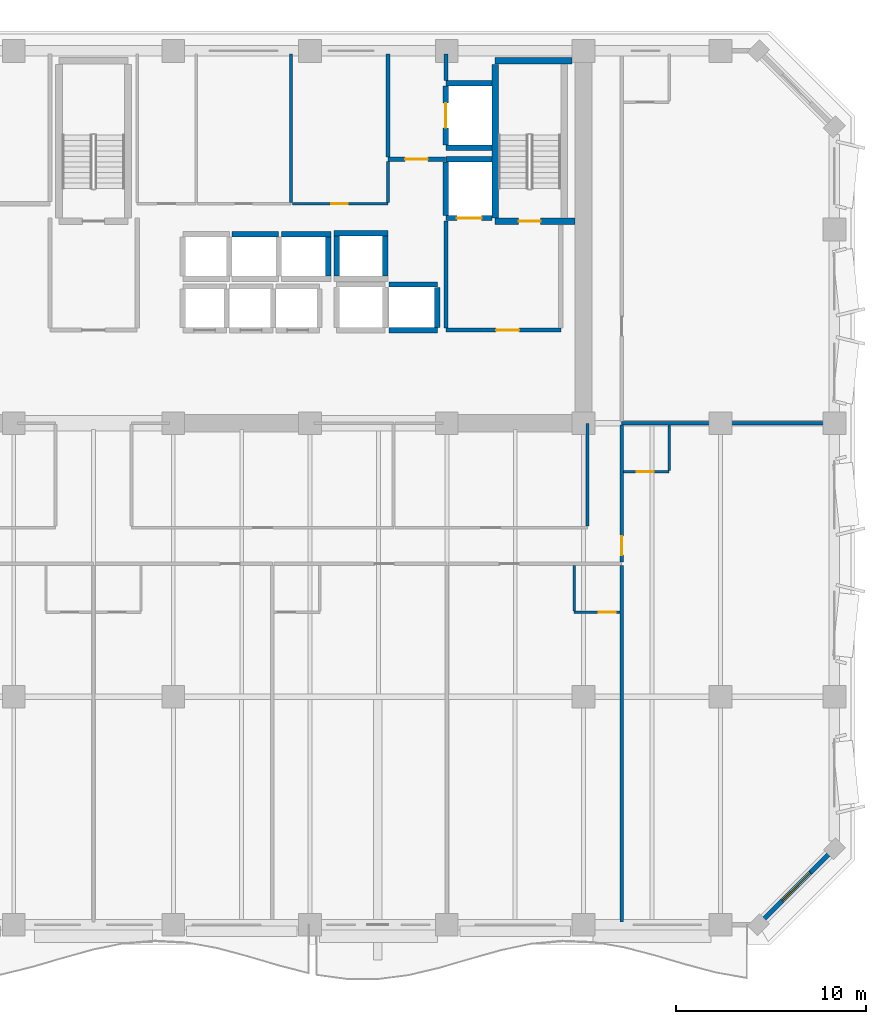
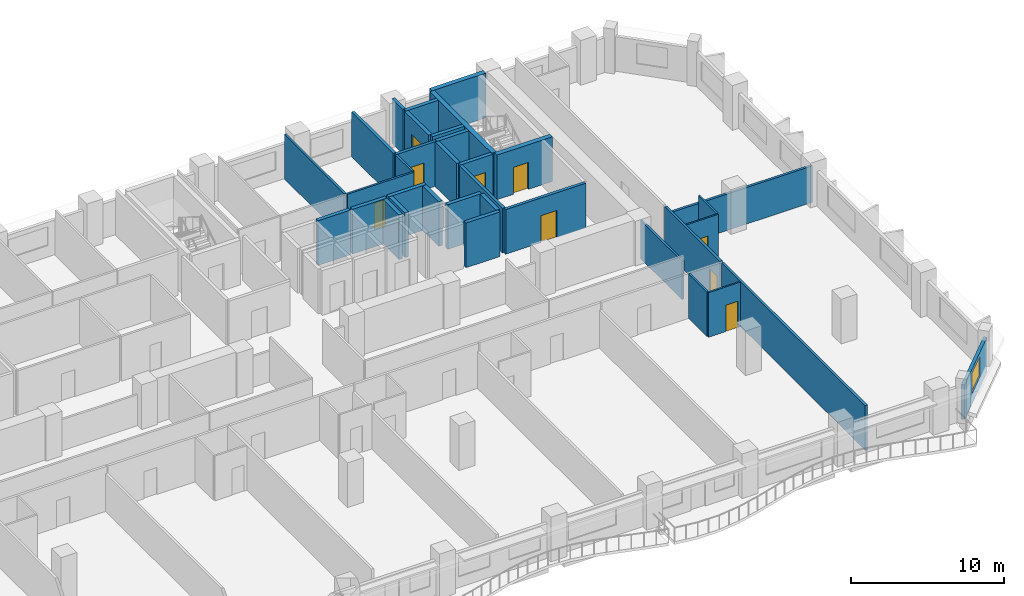
# One storey, part 8 of 14: 35 walls, 9 doors, 1 window, 10 openings.
"""IFC4 building model written with IfcOpenShell, lengths in metres."""

from ifc_helpers import new_model, si_unit, direction, frame, frame_2d, origin, place, context, subcontext, project, spatial, rectangle, extrude, material, layer, layer_set, type_object, element, fill, save


model = new_model("IFC4")

# Units and contexts
model_context = context("Model", 3, precision=1e-05, world=origin(), true_north=direction((0.0, 1.0)))
body_context = subcontext(model_context, "Body", "Model", "MODEL_VIEW")
ifc_project = project(units=[si_unit("LENGTHUNIT", "METRE"), si_unit("AREAUNIT", "SQUARE_METRE"), si_unit("VOLUMEUNIT", "CUBIC_METRE"), si_unit("PLANEANGLEUNIT", "RADIAN"), si_unit("MASSUNIT", "GRAM", prefix="KILO")], contexts=[model_context])

# Site, building, storey
site_placement = place(None, origin())
site = spatial("IfcSite", under=ifc_project, at=site_placement, CompositionType="ELEMENT")
building_placement = place(site_placement, origin())
building = spatial("IfcBuilding", under=site, at=building_placement, Name="Kaelvorn Grand Hotel", CompositionType="ELEMENT")
storey_placement = place(building_placement, frame((0.0, 0.0, 197.75)))
storey = spatial("IfcBuildingStorey", under=building, at=storey_placement, Name="L48", CompositionType="ELEMENT", Elevation=197.75)

# Wall, opening, window
ifc_material_1 = material(Name="Concrete C40/50", Category="concrete")
ifc_layer_1 = layer(ifc_material_1, 0.239990234375)
ifc_layer_set_1 = layer_set([ifc_layer_1], Name="Concrete C40/50")
wall_type_1 = type_object("IfcWallType", Name="WL-EXT-240-C40", PredefinedType="SOLIDWALL", material=ifc_layer_set_1)
wall_1_placement = place(storey_placement, frame((77.0, 3.0, 0.0), z_axis=(0.0, 0.0, 1.0), x_axis=(0.707106781187, 0.707106781187, 0.0)))
wall_1 = element("IfcWall", 1, at=wall_1_placement, inside=storey, type_object=wall_type_1, Name="L48 Exterior Architectural Concrete Wall 02", PredefinedType="SOLIDWALL", context=body_context, shape_type="SweptSolid", body=[
    extrude(rectangle(XDim=5.65673828125, YDim=0.239990234375, at=frame_2d((2.828369140625, 0.0))), origin(), (0.0, 0.0, 1.0), 2.760009765625),
])
opening_1_placement = place(wall_1_placement, frame((1.7783203125, 0.0, 0.85009765625)))
opening_1 = element("IfcOpeningElement", 2, at=opening_1_placement, cuts=wall_1, Name="Opening W7", PredefinedType="OPENING", context=body_context, shape_type="SweptSolid", body=[
    extrude(rectangle(XDim=2.10009765625, YDim=1.60009765625, at=frame_2d((1.050048828125, 0.800048828125))), frame((0.0, 0.1298828125, 0.0), z_axis=(0.0, -1.0, 0.0), x_axis=(1.0, 0.0, 0.0)), (0.0, 0.0, 1.0), 0.260009765625),
])
ifc_material_2 = material(Name="Laminated Low-E Glass", Category="glass")
window_type = type_object("IfcWindowType", Name="WIN-CHM-2100x1600", PartitioningType="SINGLE_PANEL", PredefinedType="WINDOW", material=ifc_material_2)
window_placement = place(opening_1_placement, origin())
window = element("IfcWindow", 3, at=window_placement, inside=storey, type_object=window_type, Name="L48 Chamfered 45-Degree Corner Window SE", OverallHeight=1.60009765625, OverallWidth=2.10009765625, PartitioningType="SINGLE_PANEL", PredefinedType="WINDOW", context=body_context, shape_type="SweptSolid", body=[
    extrude(rectangle(XDim=2.10009765625, YDim=1.60009765625, at=frame_2d((1.050048828125, 0.800048828125))), frame((0.0, 0.030029296875, 0.0), z_axis=(0.0, -1.0, 0.0), x_axis=(1.0, 0.0, 0.0)), (0.0, 0.0, 1.0), 0.06005859375),
])
fill(opening_1, window)

# Wall, opening, door
ifc_material_3 = material(Name="Moisture-Resistant Tile & Stud Board")
ifc_layer_2 = layer(ifc_material_3, 0.125)
ifc_layer_set_2 = layer_set([ifc_layer_2], Name="Moisture-Resistant Tile & Stud Board")
wall_type_2 = type_object("IfcWallType", Name="WL-PART-125-WET", PredefinedType="PARTITIONING", material=ifc_layer_set_2)
wall_2_placement = place(storey_placement, frame((67.300048828125, 19.449951171875, 0.0), z_axis=(0.0, 0.0, 1.0), x_axis=(1.0, 0.0, 0.0)))
wall_2 = element("IfcWall", 4, at=wall_2_placement, inside=storey, type_object=wall_type_2, Name="L48 En-suite Bathroom L48-06 S Partition", PredefinedType="PARTITIONING", context=body_context, shape_type="SweptSolid", body=[
    extrude(rectangle(XDim=2.405029296875, YDim=0.125, at=frame_2d((1.20263671875, 0.0))), origin(), (0.0, 0.0, 1.0), 3.56005859375),
])
opening_2_placement = place(wall_2_placement, frame((1.300048828125, 0.0, 0.0)))
opening_2 = element("IfcOpeningElement", 5, at=opening_2_placement, cuts=wall_2, Name="Opening DI4", PredefinedType="OPENING", context=body_context, shape_type="SweptSolid", body=[
    extrude(rectangle(XDim=0.89990234375, YDim=2.10009765625, at=frame_2d((0.449951171875, 1.050048828125))), frame((0.0, 0.072509765625, 0.0), z_axis=(0.0, -1.0, 0.0), x_axis=(1.0, 0.0, 0.0)), (0.0, 0.0, 1.0), 0.14501953125),
])
ifc_material_4 = material(Name="Timber Veneer Leaf", Category="wood")
door_type_1 = type_object("IfcDoorType", Name="DR-INT-BATH-900x2100", OperationType="NOTDEFINED", PredefinedType="DOOR", material=ifc_material_4)
door_1_placement = place(opening_2_placement, origin())
door_1 = element("IfcDoor", 6, at=door_1_placement, inside=storey, type_object=door_type_1, Name="L48 En-suite Bathroom L48-06 Door", OperationType="SINGLE_SWING_RIGHT", OverallHeight=2.10009765625, OverallWidth=0.89990234375, PredefinedType="DOOR", context=body_context, shape_type="SweptSolid", body=[
    extrude(rectangle(XDim=0.89990234375, YDim=2.10009765625, at=frame_2d((0.449951171875, 1.050048828125))), frame((0.0, 0.02490234375, 0.0), z_axis=(0.0, -1.0, 0.0), x_axis=(1.0, 0.0, 0.0)), (0.0, 0.0, 1.0), 0.050048828125),
])
fill(opening_2, door_1)

# Wall
wall_3_placement = place(storey_placement, frame((67.300048828125, 19.517578125, 0.0), z_axis=(0.0, 0.0, 1.0), x_axis=(0.0, 1.0, 0.0)))
element("IfcWall", 7, at=wall_3_placement, inside=storey, type_object=wall_type_2, Name="L48 En-suite Bathroom L48-06 W Partition", PredefinedType="PARTITIONING", context=body_context, shape_type="SweptSolid", body=[
    extrude(rectangle(XDim=2.387451171875, YDim=0.125, at=frame_2d((1.19384765625, 0.0))), origin(), (0.0, 0.0, 1.0), 3.56005859375),
])

# Wall, opening, door
wall_4_placement = place(storey_placement, frame((69.89501953125, 26.85009765625, 0.0), z_axis=(0.0, 0.0, 1.0), x_axis=(1.0, 0.0, 0.0)))
wall_4 = element("IfcWall", 8, at=wall_4_placement, inside=storey, type_object=wall_type_2, Name="L48 En-suite Bathroom L48-08 S Partition", PredefinedType="PARTITIONING", context=body_context, shape_type="SweptSolid", body=[
    extrude(rectangle(XDim=2.405029296875, YDim=0.125, at=frame_2d((1.20263671875, 0.0))), origin(), (0.0, 0.0, 1.0), 3.56005859375),
])
opening_3_placement = place(wall_4_placement, frame((0.705078125, 0.0, 0.0)))
opening_3 = element("IfcOpeningElement", 9, at=opening_3_placement, cuts=wall_4, Name="Opening DI4", PredefinedType="OPENING", context=body_context, shape_type="SweptSolid", body=[
    extrude(rectangle(XDim=0.89990234375, YDim=2.10009765625, at=frame_2d((0.449951171875, 1.050048828125))), frame((0.0, 0.072509765625, 0.0), z_axis=(0.0, -1.0, 0.0), x_axis=(1.0, 0.0, 0.0)), (0.0, 0.0, 1.0), 0.14501953125),
])
door_2_placement = place(opening_3_placement, origin())
door_2 = element("IfcDoor", 10, at=door_2_placement, inside=storey, type_object=door_type_1, Name="L48 En-suite Bathroom L48-08 Door", OperationType="SINGLE_SWING_RIGHT", OverallHeight=2.10009765625, OverallWidth=0.89990234375, PredefinedType="DOOR", context=body_context, shape_type="SweptSolid", body=[
    extrude(rectangle(XDim=0.89990234375, YDim=2.10009765625, at=frame_2d((0.449951171875, 1.050048828125))), frame((0.0, 0.02490234375, 0.0), z_axis=(0.0, -1.0, 0.0), x_axis=(1.0, 0.0, 0.0)), (0.0, 0.0, 1.0), 0.050048828125),
])
fill(opening_3, door_2)

# Walls
wall_5_placement = place(storey_placement, frame((72.300048828125, 26.91748046875, 0.0), z_axis=(0.0, 0.0, 1.0), x_axis=(0.0, 1.0, 0.0)))
element("IfcWall", 11, at=wall_5_placement, inside=storey, type_object=wall_type_2, Name="L48 En-suite Bathroom L48-08 E Partition", PredefinedType="PARTITIONING", context=body_context, shape_type="SweptSolid", body=[
    extrude(rectangle(XDim=2.387451171875, YDim=0.125, at=frame_2d((1.19384765625, 0.0))), origin(), (0.0, 0.0, 1.0), 3.56005859375),
])
ifc_material_5 = material(Name="Acoustic Gypsum & Stud Partition")
ifc_layer_3 = layer(ifc_material_5, 0.14990234375)
ifc_layer_set_3 = layer_set([ifc_layer_3], Name="Acoustic Gypsum & Stud Partition")
wall_type_3 = type_object("IfcWallType", Name="WL-PART-150-EI60", PredefinedType="PARTITIONING", material=ifc_layer_set_3)
wall_6_placement = place(storey_placement, frame((52.39990234375, 41.030029296875, 0.0), z_axis=(0.0, 0.0, 1.0), x_axis=(0.0, 1.0, 0.0)))
element("IfcWall", 12, at=wall_6_placement, inside=storey, type_object=wall_type_3, Name="L48 Valet & Luggage Store E Partition", PredefinedType="PARTITIONING", context=body_context, shape_type="SweptSolid", body=[
    extrude(rectangle(XDim=7.820068359375, YDim=0.14990234375, at=frame_2d((3.91015625, 0.0))), origin(), (0.0, 0.0, 1.0), 3.56005859375),
])

# Wall, opening, door
wall_7_placement = place(storey_placement, frame((52.47998046875, 40.949951171875, 0.0), z_axis=(0.0, 0.0, 1.0), x_axis=(1.0, 0.0, 0.0)))
wall_7 = element("IfcWall", 13, at=wall_7_placement, inside=storey, type_object=wall_type_3, Name="L48 Clean Utility & Amenity Store S Partition", PredefinedType="PARTITIONING", context=body_context, shape_type="SweptSolid", body=[
    extrude(rectangle(XDim=5.02001953125, YDim=0.14990234375, at=frame_2d((2.510009765625, 0.0))), origin(), (0.0, 0.0, 1.0), 3.56005859375),
])
opening_4_placement = place(wall_7_placement, frame((2.044921875, 0.0, 0.0)))
opening_4 = element("IfcOpeningElement", 14, at=opening_4_placement, cuts=wall_7, Name="Opening DI7", PredefinedType="OPENING", context=body_context, shape_type="SweptSolid", body=[
    extrude(rectangle(XDim=0.85009765625, YDim=2.10009765625, at=frame_2d((0.425048828125, 1.050048828125))), frame((0.0, 0.0849609375, 0.0), z_axis=(0.0, -1.0, 0.0), x_axis=(1.0, 0.0, 0.0)), (0.0, 0.0, 1.0), 0.169921875),
])
ifc_material_6 = material(Name="Powder-Coated Steel Leaf", Category="steel")
door_type_2 = type_object("IfcDoorType", Name="DR-INT-RISER-850x2100", OperationType="NOTDEFINED", PredefinedType="DOOR", material=ifc_material_6)
door_3_placement = place(opening_4_placement, origin())
door_3 = element("IfcDoor", 15, at=door_3_placement, inside=storey, type_object=door_type_2, Name="L48 Clean Utility & Amenity Store Door", OperationType="SINGLE_SWING_RIGHT", OverallHeight=2.10009765625, OverallWidth=0.85009765625, PredefinedType="DOOR", context=body_context, shape_type="SweptSolid", body=[
    extrude(rectangle(XDim=0.85009765625, YDim=2.10009765625, at=frame_2d((0.425048828125, 1.050048828125))), frame((0.0, 0.02490234375, 0.0), z_axis=(0.0, -1.0, 0.0), x_axis=(1.0, 0.0, 0.0)), (0.0, 0.0, 1.0), 0.050048828125),
])
fill(opening_4, door_3)

# Walls
wall_8_placement = place(storey_placement, frame((57.5, 41.030029296875, 0.0), z_axis=(0.0, 0.0, 1.0), x_axis=(0.0, 1.0, 0.0)))
element("IfcWall", 16, at=wall_8_placement, inside=storey, type_object=wall_type_3, Name="L48 Clean Utility & Amenity Store E Partition", PredefinedType="PARTITIONING", context=body_context, shape_type="SweptSolid", body=[
    extrude(rectangle(XDim=2.155029296875, YDim=0.14990234375, at=frame_2d((1.07763671875, 0.0))), origin(), (0.0, 0.0, 1.0), 3.56005859375),
])
wall_9_placement = place(storey_placement, frame((68.0, 23.97998046875, 0.0), z_axis=(0.0, 0.0, 1.0), x_axis=(0.0, 1.0, 0.0)))
element("IfcWall", 17, at=wall_9_placement, inside=storey, type_object=wall_type_3, Name="L48 VIP Dining Restaurant E Partition", PredefinedType="PARTITIONING", context=body_context, shape_type="SweptSolid", body=[
    extrude(rectangle(XDim=5.409912109375, YDim=0.14990234375, at=frame_2d((2.705078125, 0.0))), origin(), (0.0, 0.0, 1.0), 3.06005859375),
])
ifc_layer_4 = layer(ifc_material_5, 0.179931640625)
ifc_layer_set_4 = layer_set([ifc_layer_4], Name="Acoustic Gypsum & Stud Partition")
wall_type_4 = type_object("IfcWallType", Name="WL-PART-180-EI60", PredefinedType="PARTITIONING", material=ifc_layer_set_4)
wall_10_placement = place(storey_placement, frame((69.800048828125, 3.14990234375, 0.0), z_axis=(0.0, 0.0, 1.0), x_axis=(0.0, 1.0, 0.0)))
element("IfcWall", 18, at=wall_10_placement, inside=storey, type_object=wall_type_4, Name="L48 Mid-Rise Signature Suite L48-06 E Partition", PredefinedType="PARTITIONING", context=body_context, shape_type="SweptSolid", body=[
    extrude(rectangle(XDim=18.755126953125, YDim=0.179931640625, at=frame_2d((9.37744140625, 0.0))), origin(), (0.0, 0.0, 1.0), 3.56005859375),
])
wall_11_placement = place(storey_placement, frame((69.800048828125, 29.39990234375, 0.0), z_axis=(0.0, 0.0, 1.0), x_axis=(1.0, 0.0, 0.0)))
element("IfcWall", 19, at=wall_11_placement, inside=storey, type_object=wall_type_4, Name="L48 Presidential Sky Suite L48-08 N Partition", PredefinedType="PARTITIONING", context=body_context, shape_type="SweptSolid", body=[
    extrude(rectangle(XDim=11.050048828125, YDim=0.179931640625, at=frame_2d((5.52490234375, 0.0))), origin(), (0.0, 0.0, 1.0), 2.909912109375),
])

# Wall, opening, door
wall_12_placement = place(storey_placement, frame((69.800048828125, 22.094970703125, 0.0), z_axis=(0.0, 0.0, 1.0), x_axis=(0.0, 1.0, 0.0)))
wall_12 = element("IfcWall", 20, at=wall_12_placement, inside=storey, type_object=wall_type_4, Name="L48 Presidential Sky Suite L48-08 W Partition", PredefinedType="PARTITIONING", context=body_context, shape_type="SweptSolid", body=[
    extrude(rectangle(XDim=7.2099609375, YDim=0.179931640625, at=frame_2d((3.60498046875, 0.0))), origin(), (0.0, 0.0, 1.0), 3.56005859375),
])
opening_5_placement = place(wall_12_placement, frame((0.35498046875, 0.0, 0.0)))
opening_5 = element("IfcOpeningElement", 21, at=opening_5_placement, cuts=wall_12, Name="Opening DI3", PredefinedType="OPENING", context=body_context, shape_type="SweptSolid", body=[
    extrude(rectangle(XDim=1.0, YDim=2.14990234375, at=frame_2d((0.5, 1.074951171875))), frame((0.0, 0.10009765625, 0.0), z_axis=(0.0, -1.0, 0.0), x_axis=(1.0, 0.0, 0.0)), (0.0, 0.0, 1.0), 0.199951171875),
])
ifc_material_7 = material(Name="Timber Veneer Fire Leaf", Category="wood")
door_type_3 = type_object("IfcDoorType", Name="DR-INT-GUEST-1000x2150", OperationType="NOTDEFINED", PredefinedType="DOOR", material=ifc_material_7)
door_4_placement = place(opening_5_placement, origin())
door_4 = element("IfcDoor", 22, at=door_4_placement, inside=storey, type_object=door_type_3, Name="L48 Presidential Sky Suite L48-08 Door", OperationType="SINGLE_SWING_LEFT", OverallHeight=2.14990234375, OverallWidth=1.0, PredefinedType="DOOR", context=body_context, shape_type="SweptSolid", body=[
    extrude(rectangle(XDim=1.0, YDim=2.14990234375, at=frame_2d((0.5, 1.074951171875))), frame((0.0, 0.02490234375, 0.0), z_axis=(0.0, -1.0, 0.0), x_axis=(1.0, 0.0, 0.0)), (0.0, 0.0, 1.0), 0.050048828125),
])
fill(opening_5, door_4)

ifc_layer_5 = layer(ifc_material_1, 0.219970703125)
ifc_layer_set_5 = layer_set([ifc_layer_5], Name="Concrete C40/50")
wall_type_5 = type_object("IfcWallType", Name="WL-PART-220-EI120", PredefinedType="PARTITIONING", material=ifc_layer_set_5)
wall_13_placement = place(storey_placement, frame((60.550048828125, 34.300048828125, 0.0), z_axis=(0.0, 0.0, 1.0), x_axis=(1.0, 0.0, 0.0)))
wall_13 = element("IfcWall", 23, at=wall_13_placement, inside=storey, type_object=wall_type_5, Name="L48 Firefighting Lift Lobby 2 S Partition", PredefinedType="PARTITIONING", context=body_context, shape_type="SweptSolid", body=[
    extrude(rectangle(XDim=6.050048828125, YDim=0.219970703125, at=frame_2d((3.02490234375, 0.0))), origin(), (0.0, 0.0, 1.0), 3.56005859375),
])
opening_6_placement = place(wall_13_placement, frame((2.64990234375, 0.0, 0.0)))
opening_6 = element("IfcOpeningElement", 24, at=opening_6_placement, cuts=wall_13, Name="Opening DI2", PredefinedType="OPENING", context=body_context, shape_type="SweptSolid", body=[
    extrude(rectangle(XDim=1.199951171875, YDim=2.14990234375, at=frame_2d((0.60009765625, 1.074951171875))), frame((0.0, 0.1201171875, 0.0), z_axis=(0.0, -1.0, 0.0), x_axis=(1.0, 0.0, 0.0)), (0.0, 0.0, 1.0), 0.239990234375),
])
door_type_4 = type_object("IfcDoorType", Name="DR-INT-FFLOB-1200x2150", OperationType="NOTDEFINED", PredefinedType="DOOR", material=ifc_material_7)
door_5_placement = place(opening_6_placement, origin())
door_5 = element("IfcDoor", 25, at=door_5_placement, inside=storey, type_object=door_type_4, Name="L48 Firefighting Lift Lobby 2 Door", OperationType="SINGLE_SWING_RIGHT", OverallHeight=2.14990234375, OverallWidth=1.199951171875, PredefinedType="DOOR", context=body_context, shape_type="SweptSolid", body=[
    extrude(rectangle(XDim=1.199951171875, YDim=2.14990234375, at=frame_2d((0.60009765625, 1.074951171875))), frame((0.0, 0.02490234375, 0.0), z_axis=(0.0, -1.0, 0.0), x_axis=(1.0, 0.0, 0.0)), (0.0, 0.0, 1.0), 0.050048828125),
])
fill(opening_6, door_5)

# Wall
wall_14_placement = place(storey_placement, frame((60.550048828125, 34.4150390625, 0.0), z_axis=(0.0, 0.0, 1.0), x_axis=(0.0, 1.0, 0.0)))
element("IfcWall", 26, at=wall_14_placement, inside=storey, type_object=wall_type_5, Name="L48 Firefighting Lift Lobby 2 W Partition", PredefinedType="PARTITIONING", context=body_context, shape_type="SweptSolid", body=[
    extrude(rectangle(XDim=5.639892578125, YDim=0.219970703125, at=frame_2d((2.81982421875, 0.0))), origin(), (0.0, 0.0, 1.0), 3.56005859375),
])

# Wall, opening, door
wall_15_placement = place(storey_placement, frame((57.5, 43.300048828125, 0.0), z_axis=(0.0, 0.0, 1.0), x_axis=(1.0, 0.0, 0.0)))
wall_15 = element("IfcWall", 27, at=wall_15_placement, inside=storey, type_object=wall_type_5, Name="L48 Service Lift Lobby S Partition", PredefinedType="PARTITIONING", context=body_context, shape_type="SweptSolid", body=[
    extrude(rectangle(XDim=3.0400390625, YDim=0.219970703125, at=frame_2d((1.52001953125, 0.0))), origin(), (0.0, 0.0, 1.0), 3.56005859375),
])
opening_7_placement = place(wall_15_placement, frame((0.89990234375, 0.0, 0.0)))
opening_7 = element("IfcOpeningElement", 28, at=opening_7_placement, cuts=wall_15, Name="Opening DI2", PredefinedType="OPENING", context=body_context, shape_type="SweptSolid", body=[
    extrude(rectangle(XDim=1.199951171875, YDim=2.14990234375, at=frame_2d((0.60009765625, 1.074951171875))), frame((0.0, 0.1201171875, 0.0), z_axis=(0.0, -1.0, 0.0), x_axis=(1.0, 0.0, 0.0)), (0.0, 0.0, 1.0), 0.239990234375),
])
door_6_placement = place(opening_7_placement, origin())
door_6 = element("IfcDoor", 29, at=door_6_placement, inside=storey, type_object=door_type_4, Name="L48 Service Lift Lobby Door", OperationType="SINGLE_SWING_RIGHT", OverallHeight=2.14990234375, OverallWidth=1.199951171875, PredefinedType="DOOR", context=body_context, shape_type="SweptSolid", body=[
    extrude(rectangle(XDim=1.199951171875, YDim=2.14990234375, at=frame_2d((0.60009765625, 1.074951171875))), frame((0.0, 0.02490234375, 0.0), z_axis=(0.0, -1.0, 0.0), x_axis=(1.0, 0.0, 0.0)), (0.0, 0.0, 1.0), 0.050048828125),
])
fill(opening_7, door_6)

# Walls
wall_16_placement = place(storey_placement, frame((57.5, 43.4150390625, 0.0), z_axis=(0.0, 0.0, 1.0), x_axis=(0.0, 1.0, 0.0)))
element("IfcWall", 30, at=wall_16_placement, inside=storey, type_object=wall_type_5, Name="L48 Service Lift Lobby W Partition", PredefinedType="PARTITIONING", context=body_context, shape_type="SweptSolid", body=[
    extrude(rectangle(XDim=5.43505859375, YDim=0.219970703125, at=frame_2d((2.717529296875, 0.0))), origin(), (0.0, 0.0, 1.0), 3.56005859375),
])
wall_17_placement = place(storey_placement, frame((60.550048828125, 47.445068359375, 0.0), z_axis=(0.0, 0.0, 1.0), x_axis=(0.0, 1.0, 0.0)))
element("IfcWall", 31, at=wall_17_placement, inside=storey, type_object=wall_type_5, Name="L48 Service Lift Lobby E Partition", PredefinedType="PARTITIONING", context=body_context, shape_type="SweptSolid", body=[
    extrude(rectangle(XDim=1.405029296875, YDim=0.219970703125, at=frame_2d((0.70263671875, 0.0))), origin(), (0.0, 0.0, 1.0), 3.56005859375),
])
ifc_material_8 = material(Name="Concrete C50/60", Category="concrete")
ifc_layer_6 = layer(ifc_material_8, 0.280029296875)
ifc_layer_set_6 = layer_set([ifc_layer_6], Name="Concrete C50/60")
wall_type_6 = type_object("IfcWallType", Name="WL-SHAFT-280-C50", PredefinedType="SHEAR", material=ifc_layer_set_6)
wall_18_placement = place(storey_placement, frame((49.300048828125, 39.35009765625, 0.0), z_axis=(0.0, 0.0, 1.0), x_axis=(1.0, 0.0, 0.0)))
element("IfcWall", 32, at=wall_18_placement, inside=storey, type_object=wall_type_6, Name="L48 Lift SL-2 Shaft North Wall", PredefinedType="SHEAR", context=body_context, shape_type="SweptSolid", body=[
    extrude(rectangle(XDim=2.449951171875, YDim=0.280029296875, at=frame_2d((1.22509765625, 0.0))), origin(), (0.0, 0.0, 1.0), 3.56005859375),
])
wall_19_placement = place(storey_placement, frame((51.89990234375, 39.35009765625, 0.0), z_axis=(0.0, 0.0, 1.0), x_axis=(1.0, 0.0, 0.0)))
element("IfcWall", 33, at=wall_19_placement, inside=storey, type_object=wall_type_6, Name="L48 Lift SL-3 Shaft North Wall", PredefinedType="SHEAR", context=body_context, shape_type="SweptSolid", body=[
    extrude(rectangle(XDim=2.590087890625, YDim=0.280029296875, at=frame_2d((1.294921875, 0.0))), origin(), (0.0, 0.0, 1.0), 3.56005859375),
])
wall_20_placement = place(storey_placement, frame((54.35009765625, 37.14501953125, 0.0), z_axis=(0.0, 0.0, 1.0), x_axis=(0.0, 1.0, 0.0)))
element("IfcWall", 34, at=wall_20_placement, inside=storey, type_object=wall_type_6, Name="L48 Lift SL-3 Shaft East Wall", PredefinedType="SHEAR", context=body_context, shape_type="SweptSolid", body=[
    extrude(rectangle(XDim=2.06005859375, YDim=0.280029296875, at=frame_2d((1.030029296875, 0.0))), origin(), (0.0, 0.0, 1.0), 3.56005859375),
])
for number, where, z_axis, x_axis, name in (
    (35, (57.550048828125, 34.300048828125, 0.0), (0.0, 0.0, 1.0), (1.0, 0.0, 0.0), "L48 Lift OL-2 Shaft South Wall"),
    (36, (57.550048828125, 36.699951171875, 0.0), (0.0, 0.0, 1.0), (1.0, 0.0, 0.0), "L48 Lift OL-2 Shaft North Wall"),
):
    element("IfcWall", number, at=place(storey_placement, frame(where, z_axis=z_axis, x_axis=x_axis)), inside=storey, type_object=wall_type_6, Name=name, PredefinedType="SHEAR", context=body_context, shape_type="SweptSolid", body=[
        extrude(rectangle(XDim=2.550048828125, YDim=0.280029296875, at=frame_2d((1.27490234375, 0.0))), origin(), (0.0, 0.0, 1.0), 3.56005859375),
    ])
wall_21_placement = place(storey_placement, frame((60.10009765625, 34.445068359375, 0.0), z_axis=(0.0, 0.0, 1.0), x_axis=(0.0, 1.0, 0.0)))
element("IfcWall", 37, at=wall_21_placement, inside=storey, type_object=wall_type_6, Name="L48 Lift OL-2 Shaft East Wall", PredefinedType="SHEAR", context=body_context, shape_type="SweptSolid", body=[
    extrude(rectangle(XDim=2.10986328125, YDim=0.280029296875, at=frame_2d((1.054931640625, 0.0))), origin(), (0.0, 0.0, 1.0), 3.56005859375),
])
wall_22_placement = place(storey_placement, frame((54.659912109375, 39.39990234375, 0.0), z_axis=(0.0, 0.0, 1.0), x_axis=(1.0, 0.0, 0.0)))
element("IfcWall", 38, at=wall_22_placement, inside=storey, type_object=wall_type_6, Name="L48 Lift OL-3 Shaft North Wall", PredefinedType="SHEAR", context=body_context, shape_type="SweptSolid", body=[
    extrude(rectangle(XDim=2.830078125, YDim=0.280029296875, at=frame_2d((1.4150390625, 0.0))), origin(), (0.0, 0.0, 1.0), 3.56005859375),
])
for number, where, z_axis, x_axis, name in (
    (39, (54.800048828125, 37.14501953125, 0.0), (0.0, 0.0, 1.0), (0.0, 1.0, 0.0), "L48 Lift OL-3 Shaft West Wall"),
    (40, (57.35009765625, 37.14501953125, 0.0), (0.0, 0.0, 1.0), (0.0, 1.0, 0.0), "L48 Lift OL-3 Shaft East Wall"),
):
    element("IfcWall", number, at=place(storey_placement, frame(where, z_axis=z_axis, x_axis=x_axis)), inside=storey, type_object=wall_type_6, Name=name, PredefinedType="SHEAR", context=body_context, shape_type="SweptSolid", body=[
        extrude(rectangle(XDim=2.10986328125, YDim=0.280029296875, at=frame_2d((1.054931640625, 0.0))), origin(), (0.0, 0.0, 1.0), 3.56005859375),
    ])

# Wall, opening, door
wall_23_placement = place(storey_placement, frame((60.550048828125, 40.199951171875, 0.0), z_axis=(0.0, 0.0, 1.0), x_axis=(1.0, 0.0, 0.0)))
wall_23 = element("IfcWall", 41, at=wall_23_placement, inside=storey, type_object=wall_type_6, Name="L48 Lift FFL2 Shaft South Wall", PredefinedType="SHEAR", context=body_context, shape_type="SweptSolid", body=[
    extrude(rectangle(XDim=2.4150390625, YDim=0.280029296875, at=frame_2d((1.20751953125, 0.0))), origin(), (0.0, 0.0, 1.0), 3.56005859375),
])
opening_8_placement = place(wall_23_placement, frame((0.574951171875, 0.0, 0.0)))
opening_8 = element("IfcOpeningElement", 42, at=opening_8_placement, cuts=wall_23, Name="Opening LD-FFL2", PredefinedType="OPENING", context=body_context, shape_type="SweptSolid", body=[
    extrude(rectangle(XDim=1.300048828125, YDim=2.300048828125, at=frame_2d((0.64990234375, 1.14990234375))), frame((0.0, 0.14990234375, 0.0), z_axis=(0.0, -1.0, 0.0), x_axis=(1.0, 0.0, 0.0)), (0.0, 0.0, 1.0), 0.300048828125),
])
ifc_material_9 = material(Name="Stainless Steel", Category="steel")
door_type_5 = type_object("IfcDoorType", Name="DR-LIFT-SERV-1300x2300", OperationType="DOUBLE_DOOR_SLIDING", PredefinedType="DOOR", material=ifc_material_9)
door_7_placement = place(opening_8_placement, origin())
door_7 = element("IfcDoor", 43, at=door_7_placement, inside=storey, type_object=door_type_5, Name="L48 Lift FFL2 Sliding Landing Door LD-FFL2", OperationType="DOUBLE_DOOR_SLIDING", OverallHeight=2.300048828125, OverallWidth=1.300048828125, PredefinedType="DOOR", context=body_context, shape_type="SweptSolid", body=[
    extrude(rectangle(XDim=1.300048828125, YDim=2.300048828125, at=frame_2d((0.64990234375, 1.14990234375))), frame((0.0, 0.02490234375, 0.0), z_axis=(0.0, -1.0, 0.0), x_axis=(1.0, 0.0, 0.0)), (0.0, 0.0, 1.0), 0.050048828125),
])
fill(opening_8, door_7)

# Walls
wall_24_placement = place(storey_placement, frame((60.550048828125, 43.300048828125, 0.0), z_axis=(0.0, 0.0, 1.0), x_axis=(1.0, 0.0, 0.0)))
element("IfcWall", 44, at=wall_24_placement, inside=storey, type_object=wall_type_6, Name="L48 Lift FFL2 Shaft North Wall", PredefinedType="SHEAR", context=body_context, shape_type="SweptSolid", body=[
    extrude(rectangle(XDim=2.4150390625, YDim=0.280029296875, at=frame_2d((1.20751953125, 0.0))), origin(), (0.0, 0.0, 1.0), 3.56005859375),
])
wall_25_placement = place(storey_placement, frame((60.550048828125, 40.344970703125, 0.0), z_axis=(0.0, 0.0, 1.0), x_axis=(0.0, 1.0, 0.0)))
element("IfcWall", 45, at=wall_25_placement, inside=storey, type_object=wall_type_6, Name="L48 Lift FFL2 Shaft West Wall", PredefinedType="SHEAR", context=body_context, shape_type="SweptSolid", body=[
    extrude(rectangle(XDim=2.81005859375, YDim=0.280029296875, at=frame_2d((1.405029296875, 0.0))), origin(), (0.0, 0.0, 1.0), 3.56005859375),
])
for number, where, z_axis, x_axis, name in (
    (46, (60.550048828125, 43.89990234375, 0.0), (0.0, 0.0, 1.0), (1.0, 0.0, 0.0), "L48 Lift SV1 Shaft South Wall"),
    (47, (60.550048828125, 47.300048828125, 0.0), (0.0, 0.0, 1.0), (1.0, 0.0, 0.0), "L48 Lift SV1 Shaft North Wall"),
):
    element("IfcWall", number, at=place(storey_placement, frame(where, z_axis=z_axis, x_axis=x_axis)), inside=storey, type_object=wall_type_6, Name=name, PredefinedType="SHEAR", context=body_context, shape_type="SweptSolid", body=[
        extrude(rectangle(XDim=2.4150390625, YDim=0.280029296875, at=frame_2d((1.20751953125, 0.0))), origin(), (0.0, 0.0, 1.0), 3.56005859375),
    ])

# Wall, opening, door
wall_26_placement = place(storey_placement, frame((60.550048828125, 44.044921875, 0.0), z_axis=(0.0, 0.0, 1.0), x_axis=(0.0, 1.0, 0.0)))
wall_26 = element("IfcWall", 48, at=wall_26_placement, inside=storey, type_object=wall_type_6, Name="L48 Lift SV1 Shaft West Wall", PredefinedType="SHEAR", context=body_context, shape_type="SweptSolid", body=[
    extrude(rectangle(XDim=3.110107421875, YDim=0.280029296875, at=frame_2d((1.55517578125, 0.0))), origin(), (0.0, 0.0, 1.0), 3.56005859375),
])
opening_9_placement = place(wall_26_placement, frame((0.905029296875, 0.0, 0.0)))
opening_9 = element("IfcOpeningElement", 49, at=opening_9_placement, cuts=wall_26, Name="Opening LD-SV1", PredefinedType="OPENING", context=body_context, shape_type="SweptSolid", body=[
    extrude(rectangle(XDim=1.300048828125, YDim=2.300048828125, at=frame_2d((0.64990234375, 1.14990234375))), frame((0.0, 0.14990234375, 0.0), z_axis=(0.0, -1.0, 0.0), x_axis=(1.0, 0.0, 0.0)), (0.0, 0.0, 1.0), 0.300048828125),
])
door_8_placement = place(opening_9_placement, origin())
door_8 = element("IfcDoor", 50, at=door_8_placement, inside=storey, type_object=door_type_5, Name="L48 Lift SV1 Sliding Landing Door LD-SV1", OperationType="DOUBLE_DOOR_SLIDING", OverallHeight=2.300048828125, OverallWidth=1.300048828125, PredefinedType="DOOR", context=body_context, shape_type="SweptSolid", body=[
    extrude(rectangle(XDim=1.300048828125, YDim=2.300048828125, at=frame_2d((0.64990234375, 1.14990234375))), frame((0.0, 0.02490234375, 0.0), z_axis=(0.0, -1.0, 0.0), x_axis=(1.0, 0.0, 0.0)), (0.0, 0.0, 1.0), 0.050048828125),
])
fill(opening_9, door_8)

ifc_material_10 = material(Name="Concrete C60/75", Category="concrete")
ifc_layer_7 = layer(ifc_material_10, 0.35009765625)
ifc_layer_set_7 = layer_set([ifc_layer_7], Name="Concrete C60/75")
wall_type_7 = type_object("IfcWallType", Name="WL-SHAFT-350-C60", PredefinedType="SHEAR", material=ifc_layer_set_7)
wall_27_placement = place(storey_placement, frame((63.14501953125, 40.02490234375, 0.0), z_axis=(0.0, 0.0, 1.0), x_axis=(1.0, 0.0, 0.0)))
wall_27 = element("IfcWall", 51, at=wall_27_placement, inside=storey, type_object=wall_type_7, Name="L48 ST3 Stair Shaft South Wall", PredefinedType="SHEAR", context=body_context, shape_type="SweptSolid", body=[
    extrude(rectangle(XDim=4.199951171875, YDim=0.35009765625, at=frame_2d((2.10009765625, 0.0))), origin(), (0.0, 0.0, 1.0), 3.56005859375),
])
opening_10_placement = place(wall_27_placement, frame((1.239990234375, 0.0, 0.0)))
opening_10 = element("IfcOpeningElement", 52, at=opening_10_placement, cuts=wall_27, Name="Opening DI1", PredefinedType="OPENING", context=body_context, shape_type="SweptSolid", body=[
    extrude(rectangle(XDim=1.14990234375, YDim=2.14990234375, at=frame_2d((0.574951171875, 1.074951171875))), frame((0.0, 0.18505859375, 0.0), z_axis=(0.0, -1.0, 0.0), x_axis=(1.0, 0.0, 0.0)), (0.0, 0.0, 1.0), 0.3701171875),
])
door_type_6 = type_object("IfcDoorType", Name="DR-INT-STAIR-1150x2150", OperationType="NOTDEFINED", PredefinedType="DOOR", material=ifc_material_7)
door_9_placement = place(opening_10_placement, origin())
door_9 = element("IfcDoor", 53, at=door_9_placement, inside=storey, type_object=door_type_6, Name="L48 ST3 Exit Stair Fire Door", OperationType="SINGLE_SWING_RIGHT", OverallHeight=2.14990234375, OverallWidth=1.14990234375, PredefinedType="DOOR", context=body_context, shape_type="SweptSolid", body=[
    extrude(rectangle(XDim=1.14990234375, YDim=2.14990234375, at=frame_2d((0.574951171875, 1.074951171875))), frame((0.0, 0.02490234375, 0.0), z_axis=(0.0, -1.0, 0.0), x_axis=(1.0, 0.0, 0.0)), (0.0, 0.0, 1.0), 0.050048828125),
])
fill(opening_10, door_9)

# Walls
wall_28_placement = place(storey_placement, frame((63.14501953125, 48.47509765625, 0.0), z_axis=(0.0, 0.0, 1.0), x_axis=(1.0, 0.0, 0.0)))
element("IfcWall", 54, at=wall_28_placement, inside=storey, type_object=wall_type_7, Name="L48 ST3 Stair Shaft North Wall", PredefinedType="SHEAR", context=body_context, shape_type="SweptSolid", body=[
    extrude(rectangle(XDim=4.050048828125, YDim=0.35009765625, at=frame_2d((2.02490234375, 0.0))), origin(), (0.0, 0.0, 1.0), 3.56005859375),
])
wall_29_placement = place(storey_placement, frame((63.14501953125, 40.205078125, 0.0), z_axis=(0.0, 0.0, 1.0), x_axis=(0.0, 1.0, 0.0)))
element("IfcWall", 55, at=wall_29_placement, inside=storey, type_object=wall_type_7, Name="L48 ST3 Stair Shaft West Wall", PredefinedType="SHEAR", context=body_context, shape_type="SweptSolid", body=[
    extrude(rectangle(XDim=8.08984375, YDim=0.35009765625, at=frame_2d((4.044921875, 0.0))), origin(), (0.0, 0.0, 1.0), 3.56005859375),
])

save(model, "model.ifc")
